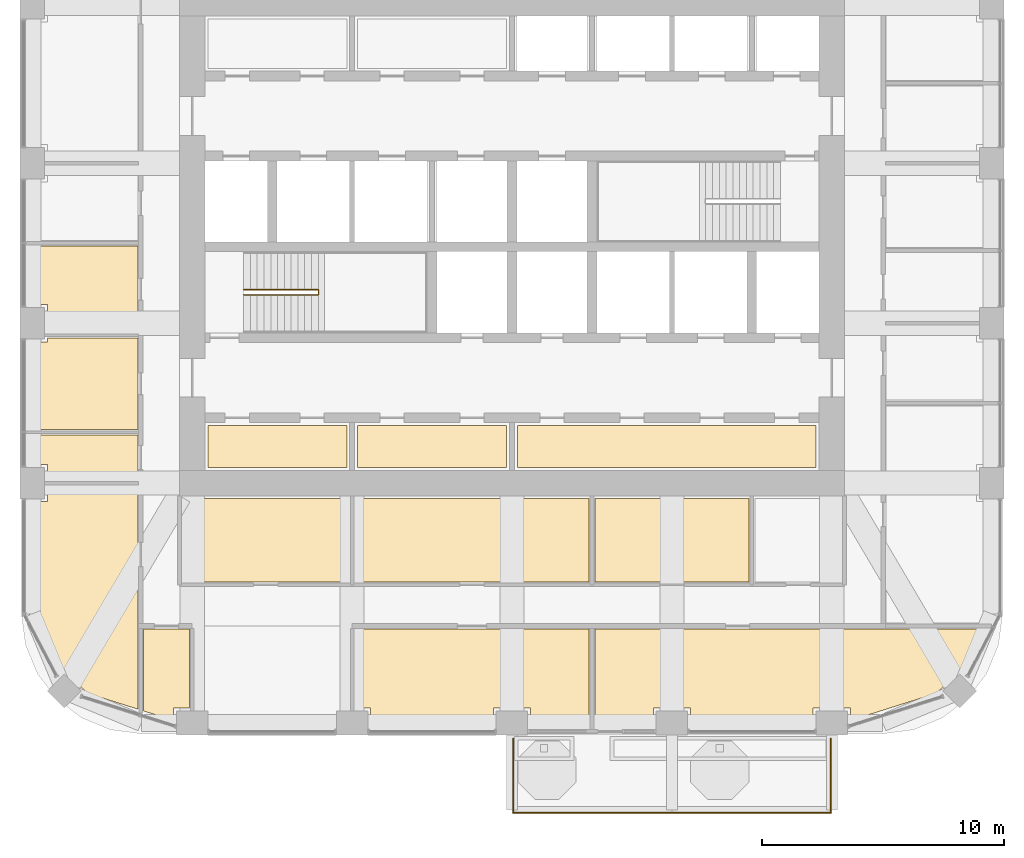
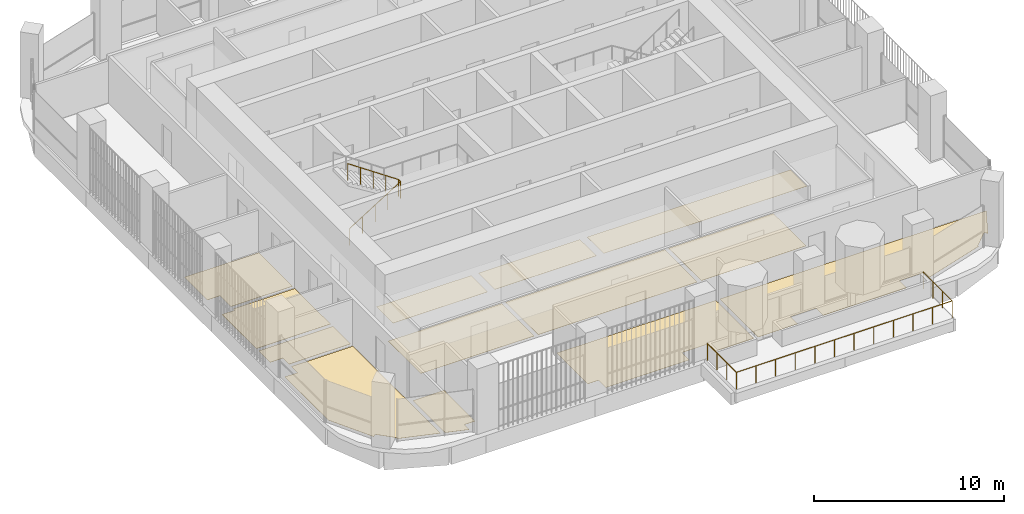
# One storey, part 18 of 21: 13 coverings, 2 railings.
"""IFC4 building model written with IfcOpenShell, lengths in metres."""

from ifc_helpers import new_model, si_unit, direction, frame, origin, place, context, subcontext, project, spatial, polyline, outline, extrude, material, layer, layer_set, type_object, element, save


model = new_model("IFC4")

# Units and contexts
model_context = context("Model", 3, precision=1e-05, world=origin(), true_north=direction((0.0, 1.0)))
body_context = subcontext(model_context, "Body", "Model", "MODEL_VIEW")
ifc_project = project(units=[si_unit("LENGTHUNIT", "METRE"), si_unit("AREAUNIT", "SQUARE_METRE"), si_unit("VOLUMEUNIT", "CUBIC_METRE"), si_unit("PLANEANGLEUNIT", "RADIAN"), si_unit("MASSUNIT", "GRAM", prefix="KILO")], contexts=[model_context])

# Site, building, storey
site_placement = place(None, origin())
site = spatial("IfcSite", under=ifc_project, at=site_placement, CompositionType="ELEMENT")
building_placement = place(site_placement, origin())
building = spatial("IfcBuilding", under=site, at=building_placement, Name="Cobogo Forest Laboratory Tower", CompositionType="ELEMENT")
storey_placement = place(building_placement, frame((0.0, 0.0, 250.199951171875)))
storey = spatial("IfcBuildingStorey", under=building, at=storey_placement, Name="L57", CompositionType="ELEMENT", Elevation=250.199951171875)

# Railing
ifc_material_1 = material(Name="Laminated glass balustrade", Category="glass")
railing_type_1 = type_object("IfcRailingType", Name="BG1 glass balustrade 1100", PredefinedType="GUARDRAIL", material=ifc_material_1)
railing_1_placement = place(storey_placement, frame((26.449951171875, 2.64990234375, 0.0)))
element("IfcRailing", 1, at=railing_1_placement, inside=storey, type_object=railing_type_1, Name="Balcony balustrade BAL-S1 L57", PredefinedType="GUARDRAIL", context=body_context, shape_type="SweptSolid", body=[
    extrude(outline(polyline([(0.022216796875, 0.00927734375), (0.00927734375, 0.022216796875), (-0.00927734375, 0.022216796875), (-0.022216796875, 0.00927734375), (-0.022216796875, -0.00927734375), (-0.00927734375, -0.022216796875), (0.00927734375, -0.022216796875), (0.022216796875, -0.00927734375), (0.022216796875, 0.00927734375)])), frame((0.0, 0.0, 1.077880859375), z_axis=(0.0, -1.0, 0.0), x_axis=(1.0, 0.0, 0.0)), (0.0, 0.0, 1.0), 3.0498046875),
    extrude(outline(polyline([(0.022216796875, 0.00927734375), (0.00927734375, 0.022216796875), (-0.00927734375, 0.022216796875), (-0.022216796875, 0.00927734375), (-0.022216796875, -0.00927734375), (-0.00927734375, -0.022216796875), (0.00927734375, -0.022216796875), (0.022216796875, -0.00927734375), (0.022216796875, 0.00927734375)])), frame((0.0, -3.0498046875, 1.077880859375), z_axis=(1.0, 0.0, 0.0), x_axis=(0.0, 1.0, 0.0)), (0.0, 0.0, 1.0), 13.10009765625),
    extrude(outline(polyline([(0.022216796875, 0.00927734375), (0.00927734375, 0.022216796875), (-0.00927734375, 0.022216796875), (-0.022216796875, 0.00927734375), (-0.022216796875, -0.00927734375), (-0.00927734375, -0.022216796875), (0.00927734375, -0.022216796875), (0.022216796875, -0.00927734375), (0.022216796875, 0.00927734375)])), frame((13.10009765625, -3.0498046875, 1.077880859375), z_axis=(0.0, 1.0, 0.0), x_axis=(-1.0, 0.0, 0.0)), (0.0, 0.0, 1.0), 3.0498046875),
    extrude(outline(polyline([(0.019287109375, 0.008056640625), (0.008056640625, 0.019287109375), (-0.008056640625, 0.019287109375), (-0.019287109375, 0.008056640625), (-0.019287109375, -0.008056640625), (-0.008056640625, -0.019287109375), (0.008056640625, -0.019287109375), (0.019287109375, -0.008056640625), (0.019287109375, 0.008056640625)])), origin(), (0.0, 0.0, 1.0), 1.077880859375),
    extrude(outline(polyline([(0.019287109375, 0.008056640625), (0.008056640625, 0.019287109375), (-0.008056640625, 0.019287109375), (-0.019287109375, 0.008056640625), (-0.019287109375, -0.008056640625), (-0.008056640625, -0.019287109375), (0.008056640625, -0.019287109375), (0.019287109375, -0.008056640625), (0.019287109375, 0.008056640625)])), frame((0.0, -1.0166015625, 0.0)), (0.0, 0.0, 1.0), 1.077880859375),
    extrude(outline(polyline([(0.019287109375, 0.008056640625), (0.008056640625, 0.019287109375), (-0.008056640625, 0.019287109375), (-0.019287109375, 0.008056640625), (-0.019287109375, -0.008056640625), (-0.008056640625, -0.019287109375), (0.008056640625, -0.019287109375), (0.019287109375, -0.008056640625), (0.019287109375, 0.008056640625)])), frame((0.0, -2.033203125, 0.0)), (0.0, 0.0, 1.0), 1.077880859375),
    extrude(outline(polyline([(0.019287109375, 0.008056640625), (0.008056640625, 0.019287109375), (-0.008056640625, 0.019287109375), (-0.019287109375, 0.008056640625), (-0.019287109375, -0.008056640625), (-0.008056640625, -0.019287109375), (0.008056640625, -0.019287109375), (0.019287109375, -0.008056640625), (0.019287109375, 0.008056640625)])), frame((0.0, -3.0498046875, 0.0)), (0.0, 0.0, 1.0), 1.077880859375),
    extrude(outline(polyline([(0.019287109375, 0.008056640625), (0.008056640625, 0.019287109375), (-0.008056640625, 0.019287109375), (-0.019287109375, 0.008056640625), (-0.019287109375, -0.008056640625), (-0.008056640625, -0.019287109375), (0.008056640625, -0.019287109375), (0.019287109375, -0.008056640625), (0.019287109375, 0.008056640625)])), frame((1.19091796875, -3.0498046875, 0.0)), (0.0, 0.0, 1.0), 1.077880859375),
    extrude(outline(polyline([(0.019287109375, 0.008056640625), (0.008056640625, 0.019287109375), (-0.008056640625, 0.019287109375), (-0.019287109375, 0.008056640625), (-0.019287109375, -0.008056640625), (-0.008056640625, -0.019287109375), (0.008056640625, -0.019287109375), (0.019287109375, -0.008056640625), (0.019287109375, 0.008056640625)])), frame((2.3818359375, -3.0498046875, 0.0)), (0.0, 0.0, 1.0), 1.077880859375),
    extrude(outline(polyline([(0.019287109375, 0.008056640625), (0.008056640625, 0.019287109375), (-0.008056640625, 0.019287109375), (-0.019287109375, 0.008056640625), (-0.019287109375, -0.008056640625), (-0.008056640625, -0.019287109375), (0.008056640625, -0.019287109375), (0.019287109375, -0.008056640625), (0.019287109375, 0.008056640625)])), frame((3.57275390625, -3.0498046875, 0.0)), (0.0, 0.0, 1.0), 1.077880859375),
    extrude(outline(polyline([(0.019287109375, 0.008056640625), (0.008056640625, 0.019287109375), (-0.008056640625, 0.019287109375), (-0.019287109375, 0.008056640625), (-0.019287109375, -0.008056640625), (-0.008056640625, -0.019287109375), (0.008056640625, -0.019287109375), (0.019287109375, -0.008056640625), (0.019287109375, 0.008056640625)])), frame((4.763671875, -3.0498046875, 0.0)), (0.0, 0.0, 1.0), 1.077880859375),
    extrude(outline(polyline([(0.019287109375, 0.008056640625), (0.008056640625, 0.019287109375), (-0.008056640625, 0.019287109375), (-0.019287109375, 0.008056640625), (-0.019287109375, -0.008056640625), (-0.008056640625, -0.019287109375), (0.008056640625, -0.019287109375), (0.019287109375, -0.008056640625), (0.019287109375, 0.008056640625)])), frame((5.95458984375, -3.0498046875, 0.0)), (0.0, 0.0, 1.0), 1.077880859375),
    extrude(outline(polyline([(0.019287109375, 0.008056640625), (0.008056640625, 0.019287109375), (-0.008056640625, 0.019287109375), (-0.019287109375, 0.008056640625), (-0.019287109375, -0.008056640625), (-0.008056640625, -0.019287109375), (0.008056640625, -0.019287109375), (0.019287109375, -0.008056640625), (0.019287109375, 0.008056640625)])), frame((7.1455078125, -3.0498046875, 0.0)), (0.0, 0.0, 1.0), 1.077880859375),
    extrude(outline(polyline([(0.019287109375, 0.008056640625), (0.008056640625, 0.019287109375), (-0.008056640625, 0.019287109375), (-0.019287109375, 0.008056640625), (-0.019287109375, -0.008056640625), (-0.008056640625, -0.019287109375), (0.008056640625, -0.019287109375), (0.019287109375, -0.008056640625), (0.019287109375, 0.008056640625)])), frame((8.33642578125, -3.0498046875, 0.0)), (0.0, 0.0, 1.0), 1.077880859375),
    extrude(outline(polyline([(0.019287109375, 0.008056640625), (0.008056640625, 0.019287109375), (-0.008056640625, 0.019287109375), (-0.019287109375, 0.008056640625), (-0.019287109375, -0.008056640625), (-0.008056640625, -0.019287109375), (0.008056640625, -0.019287109375), (0.019287109375, -0.008056640625), (0.019287109375, 0.008056640625)])), frame((9.52734375, -3.0498046875, 0.0)), (0.0, 0.0, 1.0), 1.077880859375),
    extrude(outline(polyline([(0.019287109375, 0.008056640625), (0.008056640625, 0.019287109375), (-0.008056640625, 0.019287109375), (-0.019287109375, 0.008056640625), (-0.019287109375, -0.008056640625), (-0.008056640625, -0.019287109375), (0.008056640625, -0.019287109375), (0.019287109375, -0.008056640625), (0.019287109375, 0.008056640625)])), frame((10.71826171875, -3.0498046875, 0.0)), (0.0, 0.0, 1.0), 1.077880859375),
    extrude(outline(polyline([(0.019287109375, 0.008056640625), (0.008056640625, 0.019287109375), (-0.008056640625, 0.019287109375), (-0.019287109375, 0.008056640625), (-0.019287109375, -0.008056640625), (-0.008056640625, -0.019287109375), (0.008056640625, -0.019287109375), (0.019287109375, -0.008056640625), (0.019287109375, 0.008056640625)])), frame((11.9091796875, -3.0498046875, 0.0)), (0.0, 0.0, 1.0), 1.077880859375),
    extrude(outline(polyline([(0.019287109375, 0.008056640625), (0.008056640625, 0.019287109375), (-0.008056640625, 0.019287109375), (-0.019287109375, 0.008056640625), (-0.019287109375, -0.008056640625), (-0.008056640625, -0.019287109375), (0.008056640625, -0.019287109375), (0.019287109375, -0.008056640625), (0.019287109375, 0.008056640625)])), frame((13.10009765625, -3.0498046875, 0.0)), (0.0, 0.0, 1.0), 1.077880859375),
    extrude(outline(polyline([(0.019287109375, 0.008056640625), (0.008056640625, 0.019287109375), (-0.008056640625, 0.019287109375), (-0.019287109375, 0.008056640625), (-0.019287109375, -0.008056640625), (-0.008056640625, -0.019287109375), (0.008056640625, -0.019287109375), (0.019287109375, -0.008056640625), (0.019287109375, 0.008056640625)])), frame((13.10009765625, -2.033203125, 0.0)), (0.0, 0.0, 1.0), 1.077880859375),
    extrude(outline(polyline([(0.019287109375, 0.008056640625), (0.008056640625, 0.019287109375), (-0.008056640625, 0.019287109375), (-0.019287109375, 0.008056640625), (-0.019287109375, -0.008056640625), (-0.008056640625, -0.019287109375), (0.008056640625, -0.019287109375), (0.019287109375, -0.008056640625), (0.019287109375, 0.008056640625)])), frame((13.10009765625, -1.0166015625, 0.0)), (0.0, 0.0, 1.0), 1.077880859375),
    extrude(outline(polyline([(0.019287109375, 0.008056640625), (0.008056640625, 0.019287109375), (-0.008056640625, 0.019287109375), (-0.019287109375, 0.008056640625), (-0.019287109375, -0.008056640625), (-0.008056640625, -0.019287109375), (0.008056640625, -0.019287109375), (0.019287109375, -0.008056640625), (0.019287109375, 0.008056640625)])), frame((13.10009765625, 0.0, 0.0)), (0.0, 0.0, 1.0), 1.077880859375),
])

# Coverings
ifc_material_2 = material(Name="Carpet tile on raised access floor", Category="flooring")
ifc_layer_1 = layer(ifc_material_2, 0.008056640625)
ifc_layer_set_1 = layer_set([ifc_layer_1], Name="CT1 carpet tile floor 8")
covering_type_1 = type_object("IfcCoveringType", Name="CT1 carpet tile floor 8", PredefinedType="FLOORING", material=ifc_layer_set_1)
covering_1_placement = place(storey_placement, origin())
element("IfcCovering", 2, at=covering_1_placement, inside=storey, type_object=covering_type_1, Name="Carpet floor L57-05", PredefinedType="FLOORING", context=body_context, shape_type="SweptSolid", body=[
    extrude(outline(polyline([(19.679931640625, 9.1201171875), (12.794921875, 9.1201171875), (12.794921875, 12.554931640625), (19.679931640625, 12.554931640625), (19.679931640625, 9.1201171875)])), origin(), (0.0, 0.0, 1.0), 0.008056640625),
])
covering_2_placement = place(storey_placement, origin())
element("IfcCovering", 3, at=covering_2_placement, inside=storey, type_object=covering_type_1, Name="Carpet floor L57-06", PredefinedType="FLOORING", context=body_context, shape_type="SweptSolid", body=[
    extrude(outline(polyline([(29.580078125, 9.1201171875), (19.919921875, 9.1201171875), (19.919921875, 12.554931640625), (29.580078125, 12.554931640625), (29.580078125, 9.1201171875)])), origin(), (0.0, 0.0, 1.0), 0.008056640625),
])
covering_3_placement = place(storey_placement, origin())
element("IfcCovering", 4, at=covering_3_placement, inside=storey, type_object=covering_type_1, Name="Carpet floor L57-07", PredefinedType="FLOORING", context=body_context, shape_type="SweptSolid", body=[
    extrude(outline(polyline([(36.179931640625, 9.1201171875), (29.820068359375, 9.1201171875), (29.820068359375, 12.554931640625), (36.179931640625, 12.554931640625), (36.179931640625, 9.1201171875)])), origin(), (0.0, 0.0, 1.0), 0.008056640625),
])
covering_4_placement = place(storey_placement, origin())
element("IfcCovering", 5, at=covering_4_placement, inside=storey, type_object=covering_type_1, Name="Carpet floor L57-09", PredefinedType="FLOORING", context=body_context, shape_type="SweptSolid", body=[
    extrude(outline(polyline([(13.080078125, 7.179931640625), (13.080078125, 3.919921875), (12.429931640625, 3.919921875), (12.429931640625, 3.40283203125), (11.195068359375, 3.79296875), (11.195068359375, 7.179931640625), (13.080078125, 7.179931640625)])), origin(), (0.0, 0.0, 1.0), 0.008056640625),
])
covering_5_placement = place(storey_placement, origin())
element("IfcCovering", 6, at=covering_5_placement, inside=storey, type_object=covering_type_1, Name="Carpet floor L57-11", PredefinedType="FLOORING", context=body_context, shape_type="SweptSolid", body=[
    extrude(outline(polyline([(44.05615234375, 4.56689453125), (40.3701171875, 3.40283203125), (40.3701171875, 3.919921875), (38.830078125, 3.919921875), (38.830078125, 3.14990234375), (33.77001953125, 3.14990234375), (33.77001953125, 3.919921875), (32.22998046875, 3.919921875), (32.22998046875, 3.14990234375), (29.820068359375, 3.14990234375), (29.820068359375, 7.179931640625), (45.999267578125, 7.179931640625), (45.035400390625, 5.34130859375), (44.882080078125, 5.494873046875), (44.005126953125, 4.617919921875), (44.05615234375, 4.56689453125)])), origin(), (0.0, 0.0, 1.0), 0.008056640625),
])
covering_6_placement = place(storey_placement, origin())
element("IfcCovering", 7, at=covering_6_placement, inside=storey, type_object=covering_type_1, Name="Carpet floor L57-24", PredefinedType="FLOORING", context=body_context, shape_type="SweptSolid", body=[
    extrude(outline(polyline([(8.743896484375, 4.56689453125), (8.794921875, 4.617919921875), (7.91796875, 5.494873046875), (7.7646484375, 5.34130859375), (6.449951171875, 7.84912109375), (6.449951171875, 12.429931640625), (7.219970703125, 12.429931640625), (7.219970703125, 13.080078125), (10.955078125, 13.080078125), (10.955078125, 3.86865234375), (8.743896484375, 4.56689453125)])), origin(), (0.0, 0.0, 1.0), 0.008056640625),
])
covering_7_placement = place(storey_placement, origin())
element("IfcCovering", 8, at=covering_7_placement, inside=storey, type_object=covering_type_1, Name="Carpet floor L57-37", PredefinedType="FLOORING", context=body_context, shape_type="SweptSolid", body=[
    extrude(outline(polyline([(19.580078125, 13.844970703125), (13.844970703125, 13.844970703125), (13.844970703125, 15.580078125), (19.580078125, 15.580078125), (19.580078125, 13.844970703125)])), origin(), (0.0, 0.0, 1.0), 0.008056640625),
])
covering_8_placement = place(storey_placement, origin())
element("IfcCovering", 9, at=covering_8_placement, inside=storey, type_object=covering_type_1, Name="Carpet floor L57-39", PredefinedType="FLOORING", context=body_context, shape_type="SweptSolid", body=[
    extrude(outline(polyline([(38.955078125, 13.844970703125), (26.6201171875, 13.844970703125), (26.6201171875, 15.580078125), (38.955078125, 15.580078125), (38.955078125, 13.844970703125)])), origin(), (0.0, 0.0, 1.0), 0.008056640625),
])

# Railing
ifc_material_3 = material(Name="Steel balustrade", Category="steel")
railing_type_2 = type_object("IfcRailingType", Name="GR stair guard 1100", PredefinedType="GUARDRAIL", material=ifc_material_3)
railing_2_placement = place(storey_placement, frame((15.324951171875, 20.969970703125, 0.175048828125)))
element("IfcRailing", 10, at=railing_2_placement, inside=storey, type_object=railing_type_2, Name="Stair guard ST1 L57", PredefinedType="GUARDRAIL", context=body_context, shape_type="SweptSolid", body=[
    extrude(outline(polyline([(0.022216796875, 0.00927734375), (0.00927734375, 0.022216796875), (-0.00927734375, 0.022216796875), (-0.022216796875, 0.00927734375), (-0.022216796875, -0.00927734375), (-0.00927734375, -0.022216796875), (0.00927734375, -0.022216796875), (0.022216796875, -0.00927734375), (0.022216796875, 0.00927734375)])), frame((0.0, 0.0, 1.077880859375), z_axis=(0.847998304005, 0.0, 0.529998940003), x_axis=(0.0, 1.0, 0.0)), (0.0, 0.0, 1.0), 3.632080078125),
    extrude(outline(polyline([(0.022216796875, 0.00927734375), (0.00927734375, 0.022216796875), (-0.00927734375, 0.022216796875), (-0.022216796875, 0.00927734375), (-0.022216796875, -0.00927734375), (-0.00927734375, -0.022216796875), (0.00927734375, -0.022216796875), (0.022216796875, -0.00927734375), (0.022216796875, 0.00927734375)])), frame((3.080078125, 0.0, 3.0029296875), z_axis=(0.0, 1.0, 0.0), x_axis=(-1.0, 0.0, 0.0)), (0.0, 0.0, 1.0), 0.2099609375),
    extrude(outline(polyline([(0.022216796875, 0.00927734375), (0.00927734375, 0.022216796875), (-0.00927734375, 0.022216796875), (-0.022216796875, 0.00927734375), (-0.022216796875, -0.00927734375), (-0.00927734375, -0.022216796875), (0.00927734375, -0.022216796875), (0.022216796875, -0.00927734375), (0.022216796875, 0.00927734375)])), frame((3.080078125, 0.2099609375, 3.0029296875), z_axis=(-0.826252282691, 0.0, 0.563300244406), x_axis=(0.0, -1.0, 0.0)), (0.0, 0.0, 1.0), 3.727783203125),
    extrude(outline(polyline([(0.019287109375, 0.008056640625), (0.008056640625, 0.019287109375), (-0.008056640625, 0.019287109375), (-0.019287109375, 0.008056640625), (-0.019287109375, -0.008056640625), (-0.008056640625, -0.019287109375), (0.008056640625, -0.019287109375), (0.019287109375, -0.008056640625), (0.019287109375, 0.008056640625)])), origin(), (0.0, 0.0, 1.0), 1.077880859375),
    extrude(outline(polyline([(0.019287109375, 0.008056640625), (0.008056640625, 0.019287109375), (-0.008056640625, 0.019287109375), (-0.019287109375, 0.008056640625), (-0.019287109375, -0.008056640625), (-0.008056640625, -0.019287109375), (0.008056640625, -0.019287109375), (0.019287109375, -0.008056640625), (0.019287109375, 0.008056640625)])), frame((0.77001953125, 0.0, 0.481201171875)), (0.0, 0.0, 1.0), 1.077880859375),
    extrude(outline(polyline([(0.019287109375, 0.008056640625), (0.008056640625, 0.019287109375), (-0.008056640625, 0.019287109375), (-0.019287109375, 0.008056640625), (-0.019287109375, -0.008056640625), (-0.008056640625, -0.019287109375), (0.008056640625, -0.019287109375), (0.019287109375, -0.008056640625), (0.019287109375, 0.008056640625)])), frame((1.5400390625, 0.0, 0.96240234375)), (0.0, 0.0, 1.0), 1.077880859375),
    extrude(outline(polyline([(0.019287109375, 0.008056640625), (0.008056640625, 0.019287109375), (-0.008056640625, 0.019287109375), (-0.019287109375, 0.008056640625), (-0.019287109375, -0.008056640625), (-0.008056640625, -0.019287109375), (0.008056640625, -0.019287109375), (0.019287109375, -0.008056640625), (0.019287109375, 0.008056640625)])), frame((2.31005859375, 0.0, 1.44384765625)), (0.0, 0.0, 1.0), 1.077880859375),
    extrude(outline(polyline([(0.019287109375, 0.008056640625), (0.008056640625, 0.019287109375), (-0.008056640625, 0.019287109375), (-0.019287109375, 0.008056640625), (-0.019287109375, -0.008056640625), (-0.008056640625, -0.019287109375), (0.008056640625, -0.019287109375), (0.019287109375, -0.008056640625), (0.019287109375, 0.008056640625)])), frame((3.080078125, 0.0, 1.925048828125)), (0.0, 0.0, 1.0), 1.077880859375),
    extrude(outline(polyline([(0.019287109375, 0.008056640625), (0.008056640625, 0.019287109375), (-0.008056640625, 0.019287109375), (-0.019287109375, 0.008056640625), (-0.019287109375, -0.008056640625), (-0.008056640625, -0.019287109375), (0.008056640625, -0.019287109375), (0.019287109375, -0.008056640625), (0.019287109375, 0.008056640625)])), frame((3.080078125, 0.2099609375, 1.925048828125)), (0.0, 0.0, 1.0), 1.077880859375),
    extrude(outline(polyline([(0.019287109375, 0.008056640625), (0.008056640625, 0.019287109375), (-0.008056640625, 0.019287109375), (-0.019287109375, 0.008056640625), (-0.019287109375, -0.008056640625), (-0.008056640625, -0.019287109375), (0.008056640625, -0.019287109375), (0.019287109375, -0.008056640625), (0.019287109375, 0.008056640625)])), frame((2.31005859375, 0.2099609375, 2.449951171875)), (0.0, 0.0, 1.0), 1.077880859375),
    extrude(outline(polyline([(0.019287109375, 0.008056640625), (0.008056640625, 0.019287109375), (-0.008056640625, 0.019287109375), (-0.019287109375, 0.008056640625), (-0.019287109375, -0.008056640625), (-0.008056640625, -0.019287109375), (0.008056640625, -0.019287109375), (0.019287109375, -0.008056640625), (0.019287109375, 0.008056640625)])), frame((1.5400390625, 0.2099609375, 2.97509765625)), (0.0, 0.0, 1.0), 1.077880859375),
    extrude(outline(polyline([(0.019287109375, 0.008056640625), (0.008056640625, 0.019287109375), (-0.008056640625, 0.019287109375), (-0.019287109375, 0.008056640625), (-0.019287109375, -0.008056640625), (-0.008056640625, -0.019287109375), (0.008056640625, -0.019287109375), (0.019287109375, -0.008056640625), (0.019287109375, 0.008056640625)])), frame((0.77001953125, 0.2099609375, 3.5)), (0.0, 0.0, 1.0), 1.077880859375),
    extrude(outline(polyline([(0.019287109375, 0.008056640625), (0.008056640625, 0.019287109375), (-0.008056640625, 0.019287109375), (-0.019287109375, 0.008056640625), (-0.019287109375, -0.008056640625), (-0.008056640625, -0.019287109375), (0.008056640625, -0.019287109375), (0.019287109375, -0.008056640625), (0.019287109375, 0.008056640625)])), frame((0.0, 0.2099609375, 4.02490234375)), (0.0, 0.0, 1.0), 1.077880859375),
])

# Coverings
ifc_material_4 = material(Name="Epoxy resin flooring", Category="flooring")
ifc_layer_2 = layer(ifc_material_4, 0.00390625)
ifc_layer_set_2 = layer_set([ifc_layer_2], Name="LF1 epoxy laboratory floor 4")
covering_type_2 = type_object("IfcCoveringType", Name="LF1 epoxy laboratory floor 4", PredefinedType="FLOORING", material=ifc_layer_set_2)
covering_9_placement = place(storey_placement, origin())
element("IfcCovering", 11, at=covering_9_placement, inside=storey, type_object=covering_type_2, Name="Epoxy laboratory floor L57-10", PredefinedType="FLOORING", context=body_context, shape_type="SweptSolid", body=[
    extrude(outline(polyline([(29.580078125, 7.179931640625), (29.580078125, 3.14990234375), (27.169921875, 3.14990234375), (27.169921875, 3.919921875), (25.6298828125, 3.919921875), (25.6298828125, 3.14990234375), (20.570068359375, 3.14990234375), (20.570068359375, 3.919921875), (19.919921875, 3.919921875), (19.919921875, 7.179931640625), (29.580078125, 7.179931640625)])), origin(), (0.0, 0.0, 1.0), 0.004150390625),
])
ifc_material_5 = material(Name="Ceramic floor tile", Category="flooring")
ifc_layer_3 = layer(ifc_material_5, 0.010009765625)
ifc_layer_set_3 = layer_set([ifc_layer_3], Name="TF1 ceramic tile floor 10")
covering_type_3 = type_object("IfcCoveringType", Name="TF1 ceramic tile floor 10", PredefinedType="FLOORING", material=ifc_layer_set_3)
covering_10_placement = place(storey_placement, origin())
element("IfcCovering", 12, at=covering_10_placement, inside=storey, type_object=covering_type_3, Name="Tile floor L57-25", PredefinedType="FLOORING", context=body_context, shape_type="SweptSolid", body=[
    extrude(outline(polyline([(10.955078125, 13.320068359375), (7.219970703125, 13.320068359375), (7.219970703125, 13.969970703125), (6.449951171875, 13.969970703125), (6.449951171875, 15.179931640625), (10.955078125, 15.179931640625), (10.955078125, 13.320068359375)])), origin(), (0.0, 0.0, 1.0), 0.010009765625),
])
covering_11_placement = place(storey_placement, origin())
element("IfcCovering", 13, at=covering_11_placement, inside=storey, type_object=covering_type_3, Name="Tile floor L57-26", PredefinedType="FLOORING", context=body_context, shape_type="SweptSolid", body=[
    extrude(outline(polyline([(10.955078125, 15.419921875), (6.449951171875, 15.419921875), (6.449951171875, 19.030029296875), (7.219970703125, 19.030029296875), (7.219970703125, 19.179931640625), (10.955078125, 19.179931640625), (10.955078125, 15.419921875)])), origin(), (0.0, 0.0, 1.0), 0.010009765625),
])
covering_12_placement = place(storey_placement, origin())
element("IfcCovering", 14, at=covering_12_placement, inside=storey, type_object=covering_type_3, Name="Tile floor L57-27", PredefinedType="FLOORING", context=body_context, shape_type="SweptSolid", body=[
    extrude(outline(polyline([(10.955078125, 19.419921875), (7.219970703125, 19.419921875), (7.219970703125, 20.570068359375), (6.449951171875, 20.570068359375), (6.449951171875, 22.97998046875), (10.955078125, 22.97998046875), (10.955078125, 19.419921875)])), origin(), (0.0, 0.0, 1.0), 0.010009765625),
])
covering_13_placement = place(storey_placement, origin())
element("IfcCovering", 15, at=covering_13_placement, inside=storey, type_object=covering_type_3, Name="Tile floor L57-38", PredefinedType="FLOORING", context=body_context, shape_type="SweptSolid", body=[
    extrude(outline(polyline([(26.179931640625, 13.844970703125), (20.02001953125, 13.844970703125), (20.02001953125, 15.580078125), (26.179931640625, 15.580078125), (26.179931640625, 13.844970703125)])), origin(), (0.0, 0.0, 1.0), 0.010009765625),
])

save(model, "model.ifc")
